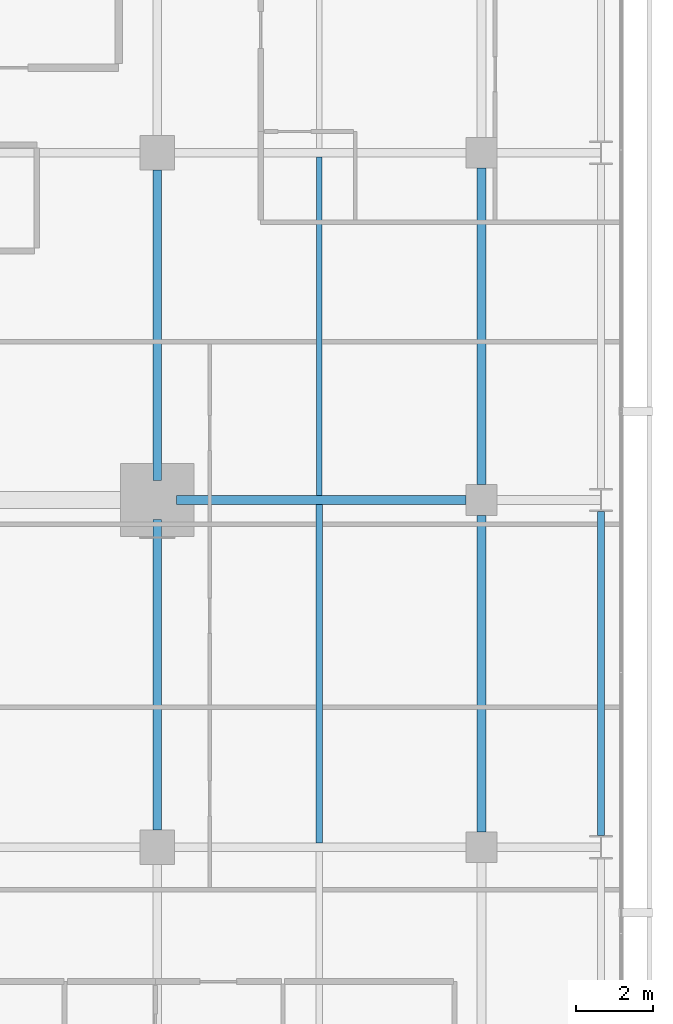
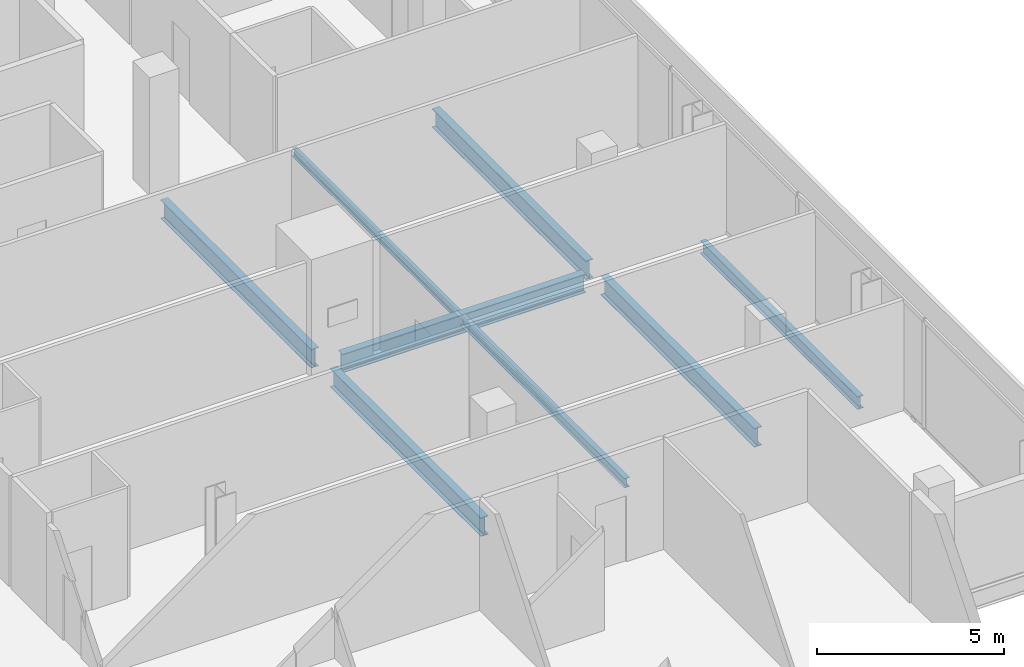
# One storey, part 16 of 33: 8 beams.
"""IFC4 building model written with IfcOpenShell, lengths in metres."""

from ifc_helpers import new_model, si_unit, direction, frame, origin, origin_2d, place, context, subcontext, project, spatial, i_section, extrude, material, material_profile, profile_set, type_object, element, save


model = new_model("IFC4")

# Units and contexts
model_context = context("Model", 3, precision=1e-05, world=origin(), true_north=direction((0.0, 1.0)))
body_context = subcontext(model_context, "Body", "Model", "MODEL_VIEW")
ifc_project = project(units=[si_unit("LENGTHUNIT", "METRE"), si_unit("AREAUNIT", "SQUARE_METRE"), si_unit("VOLUMEUNIT", "CUBIC_METRE"), si_unit("PLANEANGLEUNIT", "RADIAN"), si_unit("MASSUNIT", "GRAM", prefix="KILO")], contexts=[model_context])

# Site, building, storey
site_placement = place(None, origin())
site = spatial("IfcSite", under=ifc_project, at=site_placement, CompositionType="ELEMENT")
building_placement = place(site_placement, origin())
building = spatial("IfcBuilding", under=site, at=building_placement, Name="Maruvema Waterfront Hotel and Observation Tower", CompositionType="ELEMENT")
storey_placement = place(building_placement, frame((0.0, 0.0, 138.949951171875)))
storey = spatial("IfcBuildingStorey", under=building, at=storey_placement, Name="L33", CompositionType="ELEMENT", Elevation=138.949951171875)

# Beams
ifc_material_1 = material(Name="Steel ASTM A572 Grade 50", Category="steel")
ifc_material_profile_1 = material_profile(ifc_material_1, i_section(OverallWidth=0.180908203125, OverallDepth=0.4169921875, WebThickness=0.010986328125, FlangeThickness=0.018310546875, FilletRadius=0.014892578125, at=origin_2d()), Name="W410x85.0")
ifc_profile_set_1 = profile_set([ifc_material_profile_1], Name="Steel ASTM A572 Grade 50")
beam_type_1 = type_object("IfcBeamType", Name="Perimeter Spandrel Beam W410x85.0", PredefinedType="SPANDREL", material=ifc_profile_set_1)
beam_1_placement = place(storey_placement, frame((61.89990234375, 18.300048828125, -0.448486328125), z_axis=(0.0, 1.0, 0.0), x_axis=(-1.0, 0.0, 0.0)))
element("IfcBeam", 1, at=beam_1_placement, inside=storey, type_object=beam_type_1, Name="L33 Floor Girder NS-30", PredefinedType="SPANDREL", context=body_context, shape_type="SweptSolid", body=[
    extrude(i_section(OverallWidth=0.180908203125, OverallDepth=0.4169921875, WebThickness=0.010986328125, FlangeThickness=0.018310546875, FilletRadius=0.014892578125, at=origin_2d()), origin(), (0.0, 0.0, 1.0), 8.39990234375),
])
ifc_material_2 = material(Name="Steel ASTM A572 Grade 50", Category="steel")
ifc_material_profile_2 = material_profile(ifc_material_2, i_section(OverallWidth=0.22900390625, OverallDepth=0.612060546875, WebThickness=0.011962890625, FlangeThickness=0.01953125, FilletRadius=0.01806640625, at=origin_2d()), Name="W610x125.0")
ifc_profile_set_2 = profile_set([ifc_material_profile_2], Name="Steel ASTM A572 Grade 50")
beam_type_2 = type_object("IfcBeamType", Name="Primary Floor Girder W610x125.0", PredefinedType="BEAM", material=ifc_profile_set_2)
beam_2_placement = place(storey_placement, frame((50.89990234375, 27.0, -0.5458984375), z_axis=(1.0, 0.0, 0.0), x_axis=(0.0, 1.0, 0.0)))
element("IfcBeam", 2, at=beam_2_placement, inside=storey, type_object=beam_type_2, Name="L33 Floor Girder EW-21", PredefinedType="BEAM", context=body_context, shape_type="SweptSolid", body=[
    extrude(i_section(OverallWidth=0.22900390625, OverallDepth=0.612060546875, WebThickness=0.011962890625, FlangeThickness=0.01953125, FilletRadius=0.01806640625, at=origin_2d()), origin(), (0.0, 0.0, 1.0), 7.5),
])
for number, where, z_axis, x_axis, name in (
    (3, (50.39990234375, 18.449951171875, -0.5458984375), (0.0, 1.0, 0.0), (-1.0, 0.0, 0.0), "L33 Floor Girder NS-22"),
    (4, (50.39990234375, 27.5, -0.5458984375), (0.0, 1.0, 0.0), (-1.0, 0.0, 0.0), "L33 Floor Girder NS-23"),
):
    element("IfcBeam", number, at=place(storey_placement, frame(where, z_axis=z_axis, x_axis=x_axis)), inside=storey, type_object=beam_type_2, Name=name, PredefinedType="BEAM", context=body_context, shape_type="SweptSolid", body=[
        extrude(i_section(OverallWidth=0.22900390625, OverallDepth=0.612060546875, WebThickness=0.011962890625, FlangeThickness=0.01953125, FilletRadius=0.01806640625, at=origin_2d()), origin(), (0.0, 0.0, 1.0), 8.050048828125),
    ])
for number, where, z_axis, x_axis, name in (
    (5, (58.800048828125, 18.39990234375, -0.5458984375), (0.0, 1.0, 0.0), (-1.0, 0.0, 0.0), "L33 Floor Girder NS-26"),
    (6, (58.800048828125, 27.39990234375, -0.5458984375), (0.0, 1.0, 0.0), (-1.0, 0.0, 0.0), "L33 Floor Girder NS-27"),
):
    element("IfcBeam", number, at=place(storey_placement, frame(where, z_axis=z_axis, x_axis=x_axis)), inside=storey, type_object=beam_type_2, Name=name, PredefinedType="BEAM", context=body_context, shape_type="SweptSolid", body=[
        extrude(i_section(OverallWidth=0.22900390625, OverallDepth=0.612060546875, WebThickness=0.011962890625, FlangeThickness=0.01953125, FilletRadius=0.01806640625, at=origin_2d()), origin(), (0.0, 0.0, 1.0), 8.2001953125),
    ])
ifc_material_3 = material(Name="Steel ASTM A572 Grade 50", Category="steel")
ifc_material_profile_3 = material_profile(ifc_material_3, i_section(OverallWidth=0.14794921875, OverallDepth=0.26611328125, WebThickness=0.007568359375, FlangeThickness=0.012939453125, FilletRadius=0.012939453125, at=origin_2d()), Name="W250x44.8")
ifc_profile_set_3 = profile_set([ifc_material_profile_3], Name="Steel ASTM A572 Grade 50")
beam_type_3 = type_object("IfcBeamType", Name="Secondary Floor Joist W250x44.8", PredefinedType="JOIST", material=ifc_profile_set_3)
beam_3_placement = place(storey_placement, frame((54.60009765625, 27.114501953125, -0.373046875), z_axis=(0.0, 1.0, 0.0), x_axis=(-1.0, 0.0, 0.0)))
element("IfcBeam", 7, at=beam_3_placement, inside=storey, type_object=beam_type_3, Name="L33 Secondary Floor Joist JS-13", PredefinedType="JOIST", context=body_context, shape_type="SweptSolid", body=[
    extrude(i_section(OverallWidth=0.14794921875, OverallDepth=0.26611328125, WebThickness=0.007568359375, FlangeThickness=0.012939453125, FilletRadius=0.012939453125, at=origin_2d()), origin(), (0.0, 0.0, 1.0), 8.77099609375),
])
ifc_material_4 = material(Name="Steel ASTM A572 Grade 50", Category="steel")
ifc_material_profile_4 = material_profile(ifc_material_4, i_section(OverallWidth=0.1650390625, OverallDepth=0.31005859375, WebThickness=0.005859375, FlangeThickness=0.009765625, FilletRadius=0.012939453125, at=origin_2d()), Name="W310x38.7")
ifc_profile_set_4 = profile_set([ifc_material_profile_4], Name="Steel ASTM A572 Grade 50")
beam_type_4 = type_object("IfcBeamType", Name="Secondary Floor Joist W310x38.7", PredefinedType="JOIST", material=ifc_profile_set_4)
beam_4_placement = place(storey_placement, frame((54.60009765625, 18.114501953125, -0.39501953125), z_axis=(0.0, 1.0, 0.0), x_axis=(-1.0, 0.0, 0.0)))
element("IfcBeam", 8, at=beam_4_placement, inside=storey, type_object=beam_type_4, Name="L33 Secondary Floor Joist JS-12", PredefinedType="JOIST", context=body_context, shape_type="SweptSolid", body=[
    extrude(i_section(OverallWidth=0.1650390625, OverallDepth=0.31005859375, WebThickness=0.005859375, FlangeThickness=0.009765625, FilletRadius=0.012939453125, at=origin_2d()), origin(), (0.0, 0.0, 1.0), 8.77099609375),
])

save(model, "model.ifc")
